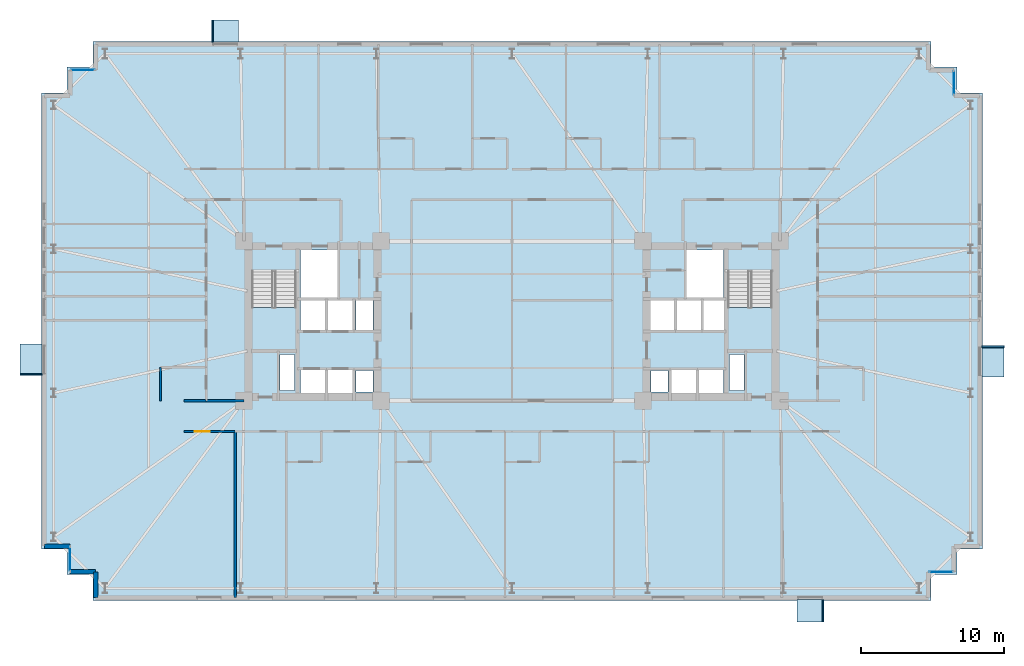
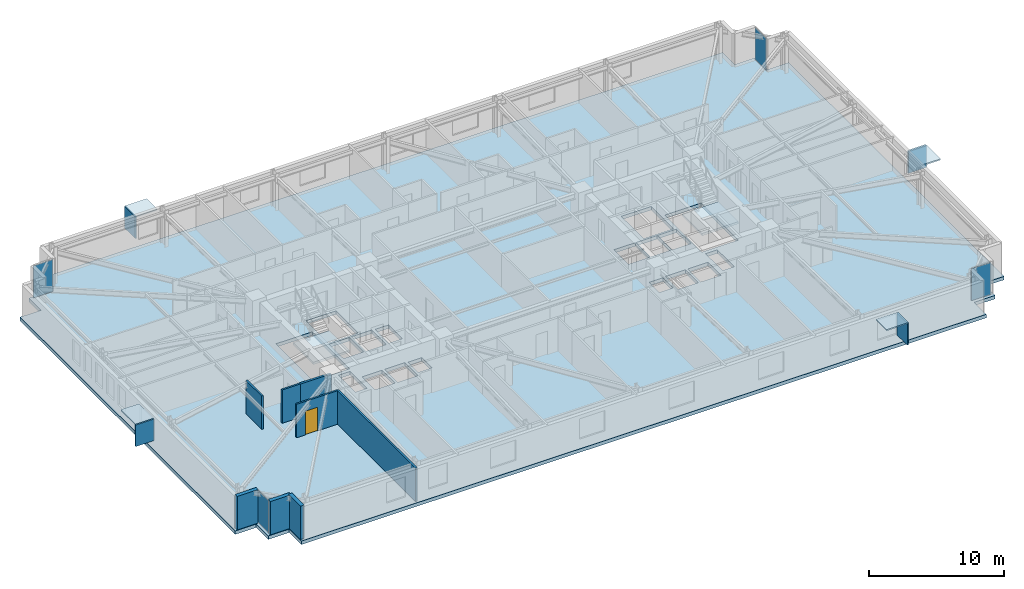
# One storey, part 13 of 21: 12 plates, 8 walls, 3 slabs, 1 door, 1 opening, 6 elements without a shape of their own.
"""IFC4 building model written with IfcOpenShell, lengths in metres."""

from ifc_helpers import new_model, si_unit, direction, frame, frame_2d, origin, origin_2d, place, context, subcontext, project, spatial, polyline, rectangle, outline, extrude, material, layer, layer_set, type_object, element, fill, aggregate, save


model = new_model("IFC4")

# Units and contexts
model_context = context("Model", 3, precision=1e-05, world=origin(), true_north=direction((0.0, 1.0)))
body_context = subcontext(model_context, "Body", "Model", "MODEL_VIEW")
ifc_project = project(units=[si_unit("LENGTHUNIT", "METRE"), si_unit("AREAUNIT", "SQUARE_METRE"), si_unit("VOLUMEUNIT", "CUBIC_METRE"), si_unit("PLANEANGLEUNIT", "RADIAN"), si_unit("MASSUNIT", "GRAM", prefix="KILO")], contexts=[model_context])

# Site, building, storey
site_placement = place(None, origin())
site = spatial("IfcSite", under=ifc_project, at=site_placement, CompositionType="ELEMENT")
building_placement = place(site_placement, origin())
building = spatial("IfcBuilding", under=site, at=building_placement, Name="Qobustan Lattice House", CompositionType="ELEMENT")
storey_placement = place(building_placement, frame((0.0, 0.0, 30.35009765625)))
storey = spatial("IfcBuildingStorey", under=building, at=storey_placement, Name="L07", CompositionType="ELEMENT", Elevation=30.35009765625)

# Curtain wall, plate
ifc_material_1 = material(Name="Anodised aluminium and low-E glazing", Category="aluminium")
ifc_layer_1 = layer(ifc_material_1, 0.219970703125)
ifc_layer_set_1 = layer_set([ifc_layer_1], Name="Anodised aluminium and low-E glazing")
curtain_wall_type = type_object("IfcCurtainWallType", Name="CW-FAC-01", PredefinedType="USERDEFINED", material=ifc_layer_set_1)
curtain_wall_1_placement = place(storey_placement, origin())
curtain_wall_1 = element("IfcCurtainWall", 1, at=curtain_wall_1_placement, inside=storey, type_object=curtain_wall_type, Name="L07 serrated corner faceted glazing 3", ObjectType="CURTAIN WALL", PredefinedType="USERDEFINED")
ifc_material_2 = material(Name="Clear low-E laminated glass", Category="glass")
ifc_layer_2 = layer(ifc_material_2, 0.031982421875)
ifc_layer_set_2 = layer_set([ifc_layer_2], Name="Clear low-E laminated glass")
plate_type_1 = type_object("IfcPlateType", Name="CWP-VISION-32", PredefinedType="CURTAIN_PANEL", material=ifc_layer_set_2)
plate_1_placement = place(storey_placement, frame((-31.0, -16.699951171875, 0.06494140625), z_axis=(0.0, 0.0, 1.0), x_axis=(0.0, 1.0, 0.0)))
plate_1 = element("IfcPlate", 2, at=plate_1_placement, type_object=plate_type_1, Name="CW-F1 panel 1.1", PredefinedType="CURTAIN_PANEL", context=body_context, shape_type="SweptSolid", body=[
    extrude(rectangle(XDim=1.659912109375, YDim=0.031982421875, at=origin_2d()), origin(), (0.0, 0.0, 1.0), 2.905029296875),
])
aggregate(curtain_wall_1, [plate_1])

curtain_wall_2_placement = place(storey_placement, origin())
curtain_wall_2 = element("IfcCurtainWall", 3, at=curtain_wall_2_placement, inside=storey, type_object=curtain_wall_type, Name="L07 serrated corner faceted glazing 8", ObjectType="CURTAIN WALL", PredefinedType="USERDEFINED")
plate_2_placement = place(storey_placement, frame((-30.10009765625, 17.60009765625, 0.06494140625), z_axis=(0.0, 0.0, 1.0), x_axis=(1.0, 0.0, 0.0)))
plate_2 = element("IfcPlate", 4, at=plate_2_placement, type_object=plate_type_1, Name="CW-F1 panel 1.1", PredefinedType="CURTAIN_PANEL", context=body_context, shape_type="SweptSolid", body=[
    extrude(rectangle(XDim=1.659912109375, YDim=0.031982421875, at=origin_2d()), origin(), (0.0, 0.0, 1.0), 2.905029296875),
])
aggregate(curtain_wall_2, [plate_2])

curtain_wall_3_placement = place(storey_placement, origin())
curtain_wall_3 = element("IfcCurtainWall", 5, at=curtain_wall_3_placement, inside=storey, type_object=curtain_wall_type, Name="L07 serrated corner faceted glazing 13", ObjectType="CURTAIN WALL", PredefinedType="USERDEFINED")
plate_3_placement = place(storey_placement, frame((31.0, 16.699951171875, 0.06494140625), z_axis=(0.0, 0.0, 1.0), x_axis=(0.0, -1.0, 0.0)))
plate_3 = element("IfcPlate", 6, at=plate_3_placement, type_object=plate_type_1, Name="CW-F1 panel 1.1", PredefinedType="CURTAIN_PANEL", context=body_context, shape_type="SweptSolid", body=[
    extrude(rectangle(XDim=1.659912109375, YDim=0.031982421875, at=origin_2d()), origin(), (0.0, 0.0, 1.0), 2.905029296875),
])
aggregate(curtain_wall_3, [plate_3])

curtain_wall_4_placement = place(storey_placement, origin())
curtain_wall_4 = element("IfcCurtainWall", 7, at=curtain_wall_4_placement, inside=storey, type_object=curtain_wall_type, Name="L07 serrated corner faceted glazing 18", ObjectType="CURTAIN WALL", PredefinedType="USERDEFINED")
plate_4_placement = place(storey_placement, frame((30.10009765625, -17.60009765625, 0.06494140625), z_axis=(0.0, 0.0, 1.0), x_axis=(-1.0, 0.0, 0.0)))
plate_4 = element("IfcPlate", 8, at=plate_4_placement, type_object=plate_type_1, Name="CW-F1 panel 1.1", PredefinedType="CURTAIN_PANEL", context=body_context, shape_type="SweptSolid", body=[
    extrude(rectangle(XDim=1.659912109375, YDim=0.031982421875, at=origin_2d()), origin(), (0.0, 0.0, 1.0), 2.905029296875),
])
aggregate(curtain_wall_4, [plate_4])

# Plates
ifc_material_3 = material(Name="Qobustan limestone GFRC", Category="masonry")
ifc_layer_3 = layer(ifc_material_3, 0.1201171875)
ifc_layer_set_3 = layer_set([ifc_layer_3], Name="Qobustan limestone GFRC")
plate_type_2 = type_object("IfcPlateType", Name="SHD-HOOD-BROW", PredefinedType="USERDEFINED", material=ifc_layer_set_3)
plate_5_placement = place(storey_placement, frame((-33.72998046875, -2.719970703125, 2.699951171875), z_axis=(0.0, 0.0, 1.0), x_axis=(0.0, 1.0, 0.0)))
element("IfcPlate", 9, at=plate_5_placement, inside=storey, type_object=plate_type_2, Name="L07 splayed Qobustan stone hood brow", ObjectType="SUNSHADE", PredefinedType="USERDEFINED", context=body_context, shape_type="SweptSolid", body=[
    extrude(rectangle(XDim=2.18994140625, YDim=1.56005859375, at=origin_2d()), origin(), (0.0, 0.0, 1.0), 0.1201171875),
])
plate_6_placement = place(storey_placement, frame((-33.72998046875, -3.7548828125, 0.7900390625), z_axis=(0.0, 0.0, 1.0), x_axis=(0.0, 1.0, 0.0)))
element("IfcPlate", 10, at=plate_6_placement, inside=storey, type_object=plate_type_2, Name="L07 splayed Qobustan stone hood cheek", ObjectType="SUNSHADE", PredefinedType="USERDEFINED", context=body_context, shape_type="SweptSolid", body=[
    extrude(rectangle(XDim=0.1201171875, YDim=1.56005859375, at=origin_2d()), origin(), (0.0, 0.0, 1.0), 1.969970703125),
])
plate_7_placement = place(storey_placement, frame((-20.113525390625, 20.330078125, 2.699951171875), z_axis=(0.0, 0.0, 1.0), x_axis=(1.0, 0.0, 0.0)))
element("IfcPlate", 11, at=plate_7_placement, inside=storey, type_object=plate_type_2, Name="L07 splayed Qobustan stone hood brow", ObjectType="SUNSHADE", PredefinedType="USERDEFINED", context=body_context, shape_type="SweptSolid", body=[
    extrude(rectangle(XDim=1.889892578125, YDim=1.56005859375, at=origin_2d()), origin(), (0.0, 0.0, 1.0), 0.1201171875),
])
plate_8_placement = place(storey_placement, frame((-20.99853515625, 20.330078125, 0.7900390625), z_axis=(0.0, 0.0, 1.0), x_axis=(1.0, 0.0, 0.0)))
element("IfcPlate", 12, at=plate_8_placement, inside=storey, type_object=plate_type_2, Name="L07 splayed Qobustan stone hood cheek", ObjectType="SUNSHADE", PredefinedType="USERDEFINED", context=body_context, shape_type="SweptSolid", body=[
    extrude(rectangle(XDim=0.1201171875, YDim=1.56005859375, at=origin_2d()), origin(), (0.0, 0.0, 1.0), 1.969970703125),
])
plate_9_placement = place(storey_placement, frame((33.72998046875, -2.840087890625, 2.699951171875), z_axis=(0.0, 0.0, 1.0), x_axis=(0.0, -1.0, 0.0)))
element("IfcPlate", 13, at=plate_9_placement, inside=storey, type_object=plate_type_2, Name="L07 splayed Qobustan stone hood brow", ObjectType="SUNSHADE", PredefinedType="USERDEFINED", context=body_context, shape_type="SweptSolid", body=[
    extrude(rectangle(XDim=2.18994140625, YDim=1.56005859375, at=origin_2d()), origin(), (0.0, 0.0, 1.0), 0.1201171875),
])
plate_10_placement = place(storey_placement, frame((33.72998046875, -1.804931640625, 0.7900390625), z_axis=(0.0, 0.0, 1.0), x_axis=(0.0, -1.0, 0.0)))
element("IfcPlate", 14, at=plate_10_placement, inside=storey, type_object=plate_type_2, Name="L07 splayed Qobustan stone hood cheek", ObjectType="SUNSHADE", PredefinedType="USERDEFINED", context=body_context, shape_type="SweptSolid", body=[
    extrude(rectangle(XDim=0.1201171875, YDim=1.56005859375, at=origin_2d()), origin(), (0.0, 0.0, 1.0), 1.969970703125),
])
plate_11_placement = place(storey_placement, frame((20.919921875, -20.330078125, 2.699951171875), z_axis=(0.0, 0.0, 1.0), x_axis=(-1.0, 0.0, 0.0)))
element("IfcPlate", 15, at=plate_11_placement, inside=storey, type_object=plate_type_2, Name="L07 splayed Qobustan stone hood brow", ObjectType="SUNSHADE", PredefinedType="USERDEFINED", context=body_context, shape_type="SweptSolid", body=[
    extrude(rectangle(XDim=1.889892578125, YDim=1.56005859375, at=origin_2d()), origin(), (0.0, 0.0, 1.0), 0.1201171875),
])
plate_12_placement = place(storey_placement, frame((21.804931640625, -20.330078125, 0.7900390625), z_axis=(0.0, 0.0, 1.0), x_axis=(-1.0, 0.0, 0.0)))
element("IfcPlate", 16, at=plate_12_placement, inside=storey, type_object=plate_type_2, Name="L07 splayed Qobustan stone hood cheek", ObjectType="SUNSHADE", PredefinedType="USERDEFINED", context=body_context, shape_type="SweptSolid", body=[
    extrude(rectangle(XDim=0.1201171875, YDim=1.56005859375, at=origin_2d()), origin(), (0.0, 0.0, 1.0), 1.969970703125),
])

# Slab
ifc_material_4 = material(Name="Concrete C40/50", Category="concrete")
ifc_layer_4 = layer(ifc_material_4, 0.31494140625)
ifc_layer_set_4 = layer_set([ifc_layer_4], Name="Concrete C40/50")
slab_type_1 = type_object("IfcSlabType", Name="SLB-FLR-315", PredefinedType="FLOOR", material=ifc_layer_set_4)
slab_1_placement = place(storey_placement, frame((0.0, 0.0, -0.315185546875)))
element("IfcSlab", 17, at=slab_1_placement, inside=storey, type_object=slab_type_1, Name="L07 structural floor slab", PredefinedType="FLOOR", context=body_context, shape_type="SweptSolid", body=[
    extrude(outline(polyline([(-29.39990234375, -19.60009765625), (29.39990234375, -19.60009765625), (29.39990234375, -17.800048828125), (31.199951171875, -17.800048828125), (31.199951171875, -16.0), (33.0, -16.0), (33.0, 16.0), (31.199951171875, 16.0), (31.199951171875, 17.800048828125), (29.39990234375, 17.800048828125), (29.39990234375, 19.60009765625), (-29.39990234375, 19.60009765625), (-29.39990234375, 17.800048828125), (-31.199951171875, 17.800048828125), (-31.199951171875, 16.0), (-33.0, 16.0), (-33.0, -16.0), (-31.199951171875, -16.0), (-31.199951171875, -17.800048828125), (-29.39990234375, -17.800048828125), (-29.39990234375, -19.60009765625)]), holes=[polyline([(-18.25, -2.050048828125), (-18.25, 3.489990234375), (-15.1298828125, 3.489990234375), (-15.1298828125, -2.050048828125), (-18.25, -2.050048828125)]), polyline([(15.1298828125, -2.050048828125), (15.1298828125, 3.489990234375), (18.25, 3.489990234375), (18.25, -2.050048828125), (15.1298828125, -2.050048828125)]), polyline([(-14.820068359375, 1.64990234375), (-14.820068359375, 4.9599609375), (-12.25, 4.9599609375), (-12.25, 1.64990234375), (-14.820068359375, 1.64990234375)]), polyline([(12.25, 1.64990234375), (12.25, 4.9599609375), (14.820068359375, 4.9599609375), (14.820068359375, 1.64990234375), (12.25, 1.64990234375)]), polyline([(-16.260009765625, -4.8798828125), (-16.260009765625, -2.360107421875), (-15.260009765625, -2.360107421875), (-15.260009765625, -4.8798828125), (-16.260009765625, -4.8798828125)]), polyline([(15.260009765625, -4.8798828125), (15.260009765625, -2.360107421875), (16.260009765625, -2.360107421875), (16.260009765625, -4.8798828125), (15.260009765625, -4.8798828125)]), polyline([(-14.85009765625, -5.35009765625), (-14.85009765625, -3.419921875), (-13.1201171875, -3.419921875), (-13.1201171875, -5.35009765625), (-14.85009765625, -5.35009765625)]), polyline([(-12.919921875, -5.35009765625), (-12.919921875, -3.419921875), (-11.179931640625, -3.419921875), (-11.179931640625, -5.35009765625), (-12.919921875, -5.35009765625)]), polyline([(-14.85009765625, -0.679931640625), (-14.85009765625, 1.47998046875), (-13.1201171875, 1.47998046875), (-13.1201171875, -0.679931640625), (-14.85009765625, -0.679931640625)]), polyline([(-12.919921875, -0.679931640625), (-12.919921875, 1.47998046875), (-11.179931640625, 1.47998046875), (-11.179931640625, -0.679931640625), (-12.919921875, -0.679931640625)]), polyline([(-10.93994140625, -5.0), (-10.93994140625, -3.47998046875), (-9.760009765625, -3.47998046875), (-9.760009765625, -5.0), (-10.93994140625, -5.0)]), polyline([(-10.93994140625, -0.6201171875), (-10.93994140625, 1.419921875), (-9.760009765625, 1.419921875), (-9.760009765625, -0.6201171875), (-10.93994140625, -0.6201171875)]), polyline([(11.179931640625, -5.35009765625), (11.179931640625, -3.419921875), (12.919921875, -3.419921875), (12.919921875, -5.35009765625), (11.179931640625, -5.35009765625)]), polyline([(13.1201171875, -5.35009765625), (13.1201171875, -3.419921875), (14.85009765625, -3.419921875), (14.85009765625, -5.35009765625), (13.1201171875, -5.35009765625)]), polyline([(9.760009765625, -5.0), (9.760009765625, -3.47998046875), (10.93994140625, -3.47998046875), (10.93994140625, -5.0), (9.760009765625, -5.0)]), polyline([(13.360107421875, -0.679931640625), (13.360107421875, 1.47998046875), (14.97998046875, 1.47998046875), (14.97998046875, -0.679931640625), (13.360107421875, -0.679931640625)]), polyline([(9.6201171875, -0.679931640625), (9.6201171875, 1.47998046875), (11.43994140625, 1.47998046875), (11.43994140625, -0.679931640625), (9.6201171875, -0.679931640625)]), polyline([(11.5, -0.679931640625), (11.5, 1.47998046875), (13.320068359375, 1.47998046875), (13.320068359375, -0.679931640625), (11.5, -0.679931640625)])]), origin(), (0.0, 0.0, 1.0), 0.315185546875),
])

# Stair, slab
ifc_material_5 = material(Name="Concrete C40/50", Category="concrete")
stair_type = type_object("IfcStairType", Name="STR-CORE-DOGLEG", PredefinedType="HALF_TURN_STAIR", material=ifc_material_5)
stair_1_placement = place(storey_placement, origin())
stair_1 = element("IfcStair", 18, at=stair_1_placement, inside=storey, type_object=stair_type, Name="L07 West protected exit stair ST-W1", PredefinedType="HALF_TURN_STAIR")
ifc_material_6 = material(Name="Concrete C40/50", Category="concrete")
ifc_layer_5 = layer(ifc_material_6, 0.199951171875)
ifc_layer_set_5 = layer_set([ifc_layer_5], Name="Concrete C40/50")
slab_type_2 = type_object("IfcSlabType", Name="SLB-LANDING-200", PredefinedType="LANDING", material=ifc_layer_set_5)
slab_2_placement = place(storey_placement, frame((0.0, 0.0, 1.474853515625)))
slab_2 = element("IfcSlab", 19, at=slab_2_placement, type_object=slab_type_2, Name="ST-W1 landing 1", PredefinedType="LANDING", context=body_context, shape_type="SweptSolid", body=[
    extrude(outline(polyline([(-18.25, 0.93505859375), (-18.25, -2.050048828125), (-15.1298828125, -2.050048828125), (-15.1298828125, 0.93505859375), (-18.25, 0.93505859375)])), origin(), (0.0, 0.0, 1.0), 0.199951171875),
])
aggregate(stair_1, [slab_2])

stair_2_placement = place(storey_placement, origin())
stair_2 = element("IfcStair", 20, at=stair_2_placement, inside=storey, type_object=stair_type, Name="L07 East protected exit stair ST-E1", PredefinedType="HALF_TURN_STAIR")
slab_3_placement = place(storey_placement, frame((0.0, 0.0, 1.474853515625)))
slab_3 = element("IfcSlab", 21, at=slab_3_placement, type_object=slab_type_2, Name="ST-E1 landing 1", PredefinedType="LANDING", context=body_context, shape_type="SweptSolid", body=[
    extrude(outline(polyline([(15.1298828125, 0.93505859375), (15.1298828125, -2.050048828125), (18.25, -2.050048828125), (18.25, 0.93505859375), (15.1298828125, 0.93505859375)])), origin(), (0.0, 0.0, 1.0), 0.199951171875),
])
aggregate(stair_2, [slab_3])

# Walls
ifc_material_7 = material(Name="Precast concrete C40/50", Category="concrete")
ifc_layer_6 = layer(ifc_material_7, 0.320068359375)
ifc_layer_set_6 = layer_set([ifc_layer_6], Name="Precast concrete C40/50")
wall_type_1 = type_object("IfcWallType", Name="WAL-EXT-STONE-320", PredefinedType="SOLIDWALL", material=ifc_layer_set_6)
wall_1_placement = place(storey_placement, frame((-29.199951171875, -19.39990234375, 0.0), z_axis=(0.0, 0.0, 1.0), x_axis=(0.0, 1.0, 0.0)))
element("IfcWall", 22, at=wall_1_placement, inside=storey, type_object=wall_type_1, Name="L07 exterior limestone-clad wall 1", PredefinedType="SOLIDWALL", context=body_context, shape_type="SweptSolid", body=[
    extrude(rectangle(XDim=1.7998046875, YDim=0.320068359375, at=frame_2d((0.89990234375, 0.0))), origin(), (0.0, 0.0, 1.0), 3.034912109375),
])
for number, where, z_axis, x_axis, name in (
    (23, (-29.199951171875, -17.60009765625, 0.0), (0.0, 0.0, 1.0), (-1.0, 0.0, 0.0), "L07 exterior limestone-clad wall 2"),
    (24, (-31.0, -15.800048828125, 0.0), (0.0, 0.0, 1.0), (-1.0, 0.0, 0.0), "L07 exterior limestone-clad wall 4"),
):
    element("IfcWall", number, at=place(storey_placement, frame(where, z_axis=z_axis, x_axis=x_axis)), inside=storey, type_object=wall_type_1, Name=name, PredefinedType="SOLIDWALL", context=body_context, shape_type="SweptSolid", body=[
        extrude(rectangle(XDim=1.800048828125, YDim=0.320068359375, at=frame_2d((0.89990234375, 0.0))), origin(), (0.0, 0.0, 1.0), 3.034912109375),
    ])
ifc_material_8 = material(Name="Gypsum fireboard acoustic partition", Category="gypsum")
ifc_layer_7 = layer(ifc_material_8, 0.179931640625)
ifc_layer_set_7 = layer_set([ifc_layer_7], Name="Gypsum fireboard acoustic partition")
wall_type_2 = type_object("IfcWallType", Name="WAL-FIRE-180", PredefinedType="PARTITIONING", material=ifc_layer_set_7)
wall_2_placement = place(storey_placement, frame((-21.449951171875, -5.60009765625, 0.0), z_axis=(0.0, 0.0, 1.0), x_axis=(1.0, 0.0, 0.0)))
element("IfcWall", 25, at=wall_2_placement, inside=storey, type_object=wall_type_2, Name="L07 interior partition 56", PredefinedType="PARTITIONING", context=body_context, shape_type="SweptSolid", body=[
    extrude(rectangle(XDim=2.64990234375, YDim=0.179931640625, at=frame_2d((1.324951171875, 0.0))), origin(), (0.0, 0.0, 1.0), 3.034912109375),
])

# Wall, opening, door
ifc_material_9 = material(Name="Acoustic twin-stud gypsum partition", Category="gypsum")
ifc_layer_8 = layer(ifc_material_9, 0.14990234375)
ifc_layer_set_8 = layer_set([ifc_layer_8], Name="Acoustic twin-stud gypsum partition")
wall_type_3 = type_object("IfcWallType", Name="WAL-PART-150", PredefinedType="PARTITIONING", material=ifc_layer_set_8)
wall_3_placement = place(storey_placement, frame((-19.41650390625, -7.75, 0.0), z_axis=(0.0, 0.0, 1.0), x_axis=(-1.0, 0.0, 0.0)))
wall_3 = element("IfcWall", 26, at=wall_3_placement, inside=storey, type_object=wall_type_3, Name="L07 interior partition 58", PredefinedType="PARTITIONING", context=body_context, shape_type="SweptSolid", body=[
    extrude(rectangle(XDim=3.58349609375, YDim=0.14990234375, at=frame_2d((1.791748046875, 0.0))), origin(), (0.0, 0.0, 1.0), 3.034912109375),
])
opening_placement = place(wall_3_placement, frame((1.78173828125, 0.0, 0.0)))
opening = element("IfcOpeningElement", 27, at=opening_placement, cuts=wall_3, Name="Opening ID-02", PredefinedType="OPENING", context=body_context, shape_type="SweptSolid", body=[
    extrude(rectangle(XDim=1.050048828125, YDim=2.14990234375, at=frame_2d((0.52490234375, 1.074951171875))), frame((0.0, 0.0849609375, 0.0), z_axis=(0.0, -1.0, 0.0), x_axis=(1.0, 0.0, 0.0)), (0.0, 0.0, 1.0), 0.169921875),
])
ifc_material_10 = material(Name="Persian walnut timber and steel frame door", Category="steel")
door_type = type_object("IfcDoorType", Name="DOR-STUDY-1050x2150", OperationType="NOTDEFINED", PredefinedType="DOOR", material=ifc_material_10)
door_placement = place(opening_placement, origin())
door = element("IfcDoor", 28, at=door_placement, inside=storey, type_object=door_type, Name="L07 South-west floor corridor to Focus study room S1A door", OperationType="SINGLE_SWING_LEFT", OverallHeight=2.14990234375, OverallWidth=1.050048828125, PredefinedType="DOOR", context=body_context, shape_type="SweptSolid", body=[
    extrude(rectangle(XDim=1.050048828125, YDim=2.14990234375, at=frame_2d((0.52490234375, 1.074951171875))), frame((0.0, 0.02490234375, 0.0), z_axis=(0.0, -1.0, 0.0), x_axis=(1.0, 0.0, 0.0)), (0.0, 0.0, 1.0), 0.050048828125),
])
fill(opening, door)

# Walls
wall_4_placement = place(storey_placement, frame((-19.41650390625, -7.75, 0.0), z_axis=(0.0, 0.0, 1.0), x_axis=(0.0, -1.0, 0.0)))
element("IfcWall", 29, at=wall_4_placement, inside=storey, type_object=wall_type_3, Name="L07 interior partition 125", PredefinedType="PARTITIONING", context=body_context, shape_type="SweptSolid", body=[
    extrude(rectangle(XDim=11.64990234375, YDim=0.14990234375, at=frame_2d((5.824951171875, 0.0))), origin(), (0.0, 0.0, 1.0), 3.034912109375),
])
ifc_material_11 = material(Name="Moisture-resistant acoustic plumbing wall", Category="gypsum")
ifc_layer_9 = layer(ifc_material_11, 0.14990234375)
ifc_layer_set_9 = layer_set([ifc_layer_9], Name="Moisture-resistant acoustic plumbing wall")
wall_type_4 = type_object("IfcWallType", Name="WAL-WET-150", PredefinedType="PLUMBINGWALL", material=ifc_layer_set_9)
wall_5_placement = place(storey_placement, frame((-23.0, -5.60009765625, 0.0), z_axis=(0.0, 0.0, 1.0), x_axis=(1.0, 0.0, 0.0)))
element("IfcWall", 30, at=wall_5_placement, inside=storey, type_object=wall_type_4, Name="L07 interior partition 57", PredefinedType="PLUMBINGWALL", context=body_context, shape_type="SweptSolid", body=[
    extrude(rectangle(XDim=1.550048828125, YDim=0.14990234375, at=frame_2d((0.77490234375, 0.0))), origin(), (0.0, 0.0, 1.0), 3.034912109375),
])
wall_6_placement = place(storey_placement, frame((-24.64990234375, -5.60009765625, 0.0), z_axis=(0.0, 0.0, 1.0), x_axis=(0.0, 1.0, 0.0)))
element("IfcWall", 31, at=wall_6_placement, inside=storey, type_object=wall_type_4, Name="L07 interior partition 86", PredefinedType="PLUMBINGWALL", context=body_context, shape_type="SweptSolid", body=[
    extrude(rectangle(XDim=2.35009765625, YDim=0.14990234375, at=frame_2d((1.175048828125, 0.0))), origin(), (0.0, 0.0, 1.0), 3.034912109375),
])

save(model, "model.ifc")
